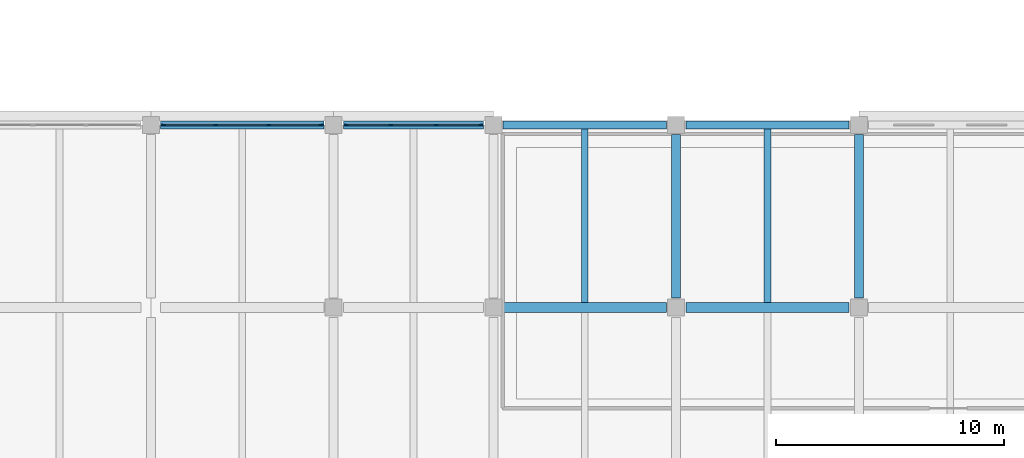
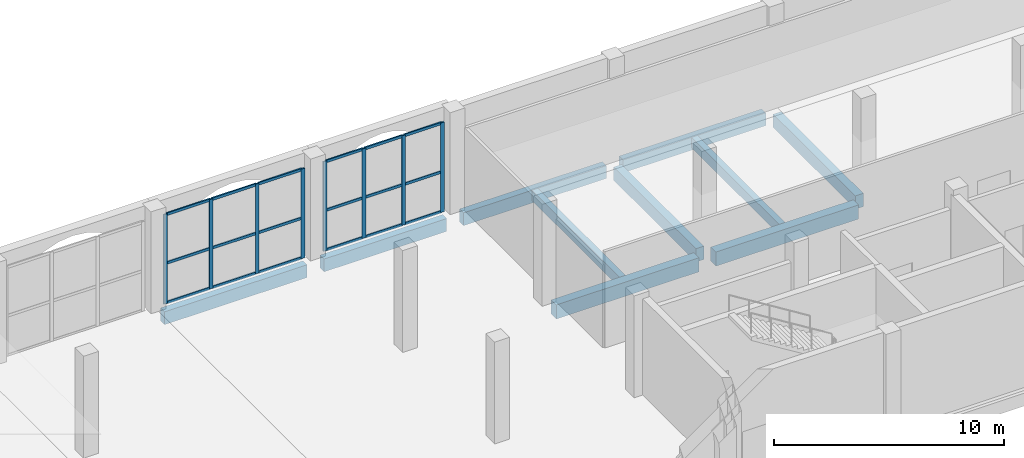
# One storey, part 7 of 40: 26 members, 10 beams, 2 elements without a shape of their own.
"""IFC4 building model written with IfcOpenShell, lengths in metres."""

from ifc_helpers import new_model, si_unit, direction, frame, origin, origin_2d, place, context, subcontext, project, spatial, rectangle, extrude, material, layer, layer_set, material_profile, profile_set, type_object, element, aggregate, save


model = new_model("IFC4")

# Units and contexts
model_context = context("Model", 3, precision=1e-05, world=origin(), true_north=direction((0.0, 1.0)))
body_context = subcontext(model_context, "Body", "Model", "MODEL_VIEW")
ifc_project = project(units=[si_unit("LENGTHUNIT", "METRE"), si_unit("AREAUNIT", "SQUARE_METRE"), si_unit("VOLUMEUNIT", "CUBIC_METRE"), si_unit("PLANEANGLEUNIT", "RADIAN"), si_unit("MASSUNIT", "GRAM", prefix="KILO")], contexts=[model_context])

# Site, building, storey
site_placement = place(None, origin())
site = spatial("IfcSite", under=ifc_project, at=site_placement, CompositionType="ELEMENT")
building_placement = place(site_placement, origin())
building = spatial("IfcBuilding", under=site, at=building_placement, Name="Qorikala Patio Media Centre", CompositionType="ELEMENT")
storey_placement = place(building_placement, origin())
storey = spatial("IfcBuildingStorey", under=building, at=storey_placement, Name="L00", CompositionType="ELEMENT", Elevation=0.0)

# Beams
ifc_material_1 = material(Name="Concrete C35/45", Category="concrete")
ifc_material_profile_1 = material_profile(ifc_material_1, rectangle(XDim=0.39990234375, YDim=0.699951171875, at=origin_2d()), Name="RC 400x700")
ifc_profile_set_1 = profile_set([ifc_material_profile_1], Name="Concrete C35/45")
beam_type_1 = type_object("IfcBeamType", Name="BM-G400X700", PredefinedType="BEAM", material=ifc_profile_set_1)
for number, where, z_axis, x_axis, name in (
    (1, (90.0, 19.425048828125, -0.64990234375), (0.0, 1.0, 0.0), (-1.0, 0.0, 0.0), "L00 Grid X=90 Beam 0267"),
    (2, (98.0, 19.425048828125, -0.64990234375), (0.0, 1.0, 0.0), (-1.0, 0.0, 0.0), "L00 Grid X=98 Beam 0270"),
):
    element("IfcBeam", number, at=place(storey_placement, frame(where, z_axis=z_axis, x_axis=x_axis)), inside=storey, type_object=beam_type_1, Name=name, PredefinedType="BEAM", context=body_context, shape_type="SweptSolid", body=[
        extrude(rectangle(XDim=0.39990234375, YDim=0.699951171875, at=origin_2d()), origin(), (0.0, 0.0, 1.0), 7.14990234375),
    ])
ifc_material_profile_2 = material_profile(ifc_material_1, rectangle(XDim=0.449951171875, YDim=0.75, at=origin_2d()), Name="RC 450x750")
ifc_profile_set_2 = profile_set([ifc_material_profile_2], Name="Concrete C35/45")
beam_type_2 = type_object("IfcBeamType", Name="BM-G450X750", PredefinedType="BEAM", material=ifc_profile_set_2)
for number, where, z_axis, x_axis, name in (
    (3, (82.425048828125, 19.0, -0.675048828125), (1.0, 0.0, 0.0), (0.0, 1.0, 0.0), "L00 Grid 19 Beam 0053"),
    (4, (90.425048828125, 19.0, -0.675048828125), (1.0, 0.0, 0.0), (0.0, 1.0, 0.0), "L00 Grid 19 Beam 0054"),
):
    element("IfcBeam", number, at=place(storey_placement, frame(where, z_axis=z_axis, x_axis=x_axis)), inside=storey, type_object=beam_type_2, Name=name, PredefinedType="BEAM", context=body_context, shape_type="SweptSolid", body=[
        extrude(rectangle(XDim=0.449951171875, YDim=0.75, at=origin_2d()), origin(), (0.0, 0.0, 1.0), 7.14990234375),
    ])

# Curtain wall, members
ifc_material_2 = material(Name="Bronze Anodised Aluminium and Low-E Glass", Category="aluminium")
ifc_layer_1 = layer(ifc_material_2, 0.159912109375)
ifc_layer_set_1 = layer_set([ifc_layer_1], Name="Bronze Anodised Aluminium and Low-E Glass")
curtain_wall_type_1 = type_object("IfcCurtainWallType", Name="CW-PAT-696X475", PredefinedType="USERDEFINED", material=ifc_layer_set_1)
curtain_wall_1_placement = place(storey_placement, origin())
curtain_wall_1 = element("IfcCurtainWall", 5, at=curtain_wall_1_placement, inside=storey, type_object=curtain_wall_type_1, Name="L00 Courtyard Curtain Wall 004", ObjectType="COURTYARD CURTAIN WALL", PredefinedType="USERDEFINED")
ifc_material_3 = material(Name="Bronze Anodised Aluminium", Category="aluminium")
ifc_material_profile_3 = material_profile(ifc_material_3, rectangle(XDim=0.070068359375, YDim=0.179931640625, at=origin_2d()), Name="ALU MULLION 70x180")
ifc_profile_set_3 = profile_set([ifc_material_profile_3], Name="Bronze Anodised Aluminium")
member_type_1 = type_object("IfcMemberType", Name="CWM-70X180", PredefinedType="MULLION", material=ifc_profile_set_3)
member_1_placement = place(storey_placement, frame((67.554931640625, 27.0, 0.0), z_axis=(0.0, 0.0, 1.0), x_axis=(0.0, 1.0, 0.0)))
member_1 = element("IfcMember", 6, at=member_1_placement, type_object=member_type_1, Name="CWP696475 mullion 1", PredefinedType="MULLION", context=body_context, shape_type="SweptSolid", body=[
    extrude(rectangle(XDim=0.070068359375, YDim=0.179931640625, at=origin_2d()), origin(), (0.0, 0.0, 1.0), 4.75),
])
member_2_placement = place(storey_placement, frame((69.840087890625, 27.0, 0.0), z_axis=(0.0, 0.0, 1.0), x_axis=(0.0, 1.0, 0.0)))
member_2 = element("IfcMember", 7, at=member_2_placement, type_object=member_type_1, Name="CWP696475 mullion 2", PredefinedType="MULLION", context=body_context, shape_type="SweptSolid", body=[
    extrude(rectangle(XDim=0.070068359375, YDim=0.179931640625, at=origin_2d()), origin(), (0.0, 0.0, 1.0), 4.75),
])
member_3_placement = place(storey_placement, frame((72.159912109375, 27.0, 0.0), z_axis=(0.0, 0.0, 1.0), x_axis=(0.0, 1.0, 0.0)))
member_3 = element("IfcMember", 8, at=member_3_placement, type_object=member_type_1, Name="CWP696475 mullion 3", PredefinedType="MULLION", context=body_context, shape_type="SweptSolid", body=[
    extrude(rectangle(XDim=0.070068359375, YDim=0.179931640625, at=origin_2d()), origin(), (0.0, 0.0, 1.0), 4.75),
])
member_4_placement = place(storey_placement, frame((74.445068359375, 27.0, 0.0), z_axis=(0.0, 0.0, 1.0), x_axis=(0.0, 1.0, 0.0)))
member_4 = element("IfcMember", 9, at=member_4_placement, type_object=member_type_1, Name="CWP696475 mullion 4", PredefinedType="MULLION", context=body_context, shape_type="SweptSolid", body=[
    extrude(rectangle(XDim=0.070068359375, YDim=0.179931640625, at=origin_2d()), origin(), (0.0, 0.0, 1.0), 4.75),
])

ifc_layer_2 = layer(ifc_material_2, 0.159912109375)
ifc_layer_set_2 = layer_set([ifc_layer_2], Name="Bronze Anodised Aluminium and Low-E Glass")
curtain_wall_type_2 = type_object("IfcCurtainWallType", Name="CW-PAT-596X475", PredefinedType="USERDEFINED", material=ifc_layer_set_2)
curtain_wall_2_placement = place(storey_placement, origin())
curtain_wall_2 = element("IfcCurtainWall", 10, at=curtain_wall_2_placement, inside=storey, type_object=curtain_wall_type_2, Name="L00 Courtyard Curtain Wall 005", ObjectType="COURTYARD CURTAIN WALL", PredefinedType="USERDEFINED")
member_5_placement = place(storey_placement, frame((75.554931640625, 27.0, 0.0), z_axis=(0.0, 0.0, 1.0), x_axis=(0.0, 1.0, 0.0)))
member_5 = element("IfcMember", 11, at=member_5_placement, type_object=member_type_1, Name="CWP596475 mullion 1", PredefinedType="MULLION", context=body_context, shape_type="SweptSolid", body=[
    extrude(rectangle(XDim=0.070068359375, YDim=0.179931640625, at=origin_2d()), origin(), (0.0, 0.0, 1.0), 4.75),
])
member_6_placement = place(storey_placement, frame((77.506591796875, 27.0, 0.0), z_axis=(0.0, 0.0, 1.0), x_axis=(0.0, 1.0, 0.0)))
member_6 = element("IfcMember", 12, at=member_6_placement, type_object=member_type_1, Name="CWP596475 mullion 2", PredefinedType="MULLION", context=body_context, shape_type="SweptSolid", body=[
    extrude(rectangle(XDim=0.070068359375, YDim=0.179931640625, at=origin_2d()), origin(), (0.0, 0.0, 1.0), 4.75),
])
member_7_placement = place(storey_placement, frame((79.493408203125, 27.0, 0.0), z_axis=(0.0, 0.0, 1.0), x_axis=(0.0, 1.0, 0.0)))
member_7 = element("IfcMember", 13, at=member_7_placement, type_object=member_type_1, Name="CWP596475 mullion 3", PredefinedType="MULLION", context=body_context, shape_type="SweptSolid", body=[
    extrude(rectangle(XDim=0.070068359375, YDim=0.179931640625, at=origin_2d()), origin(), (0.0, 0.0, 1.0), 4.75),
])
member_8_placement = place(storey_placement, frame((81.445068359375, 27.0, 0.0), z_axis=(0.0, 0.0, 1.0), x_axis=(0.0, 1.0, 0.0)))
member_8 = element("IfcMember", 14, at=member_8_placement, type_object=member_type_1, Name="CWP596475 mullion 4", PredefinedType="MULLION", context=body_context, shape_type="SweptSolid", body=[
    extrude(rectangle(XDim=0.070068359375, YDim=0.179931640625, at=origin_2d()), origin(), (0.0, 0.0, 1.0), 4.75),
])

# Member
ifc_material_profile_4 = material_profile(ifc_material_3, rectangle(XDim=0.070068359375, YDim=0.139892578125, at=origin_2d()), Name="ALU TRANSOM 70x140")
ifc_profile_set_4 = profile_set([ifc_material_profile_4], Name="Bronze Anodised Aluminium")
member_type_2 = type_object("IfcMemberType", Name="CWT-70X140", PredefinedType="USERDEFINED", material=ifc_profile_set_4)
member_9_placement = place(storey_placement, frame((67.590087890625, 27.0, 0.034912109375), z_axis=(1.0, 0.0, 0.0), x_axis=(0.0, 1.0, 0.0)))
member_9 = element("IfcMember", 15, at=member_9_placement, type_object=member_type_2, Name="CWP696475 transom 1.1", ObjectType="TRANSOM", PredefinedType="USERDEFINED", context=body_context, shape_type="SweptSolid", body=[
    extrude(rectangle(XDim=0.070068359375, YDim=0.139892578125, at=origin_2d()), origin(), (0.0, 0.0, 1.0), 2.21484375),
])

member_10_placement = place(storey_placement, frame((67.590087890625, 27.0, 2.137451171875), z_axis=(1.0, 0.0, 0.0), x_axis=(0.0, 1.0, 0.0)))
member_10 = element("IfcMember", 16, at=member_10_placement, type_object=member_type_2, Name="CWP696475 transom 1.2", ObjectType="TRANSOM", PredefinedType="USERDEFINED", context=body_context, shape_type="SweptSolid", body=[
    extrude(rectangle(XDim=0.070068359375, YDim=0.139892578125, at=origin_2d()), origin(), (0.0, 0.0, 1.0), 2.21484375),
])

member_11_placement = place(storey_placement, frame((67.590087890625, 27.0, 4.715087890625), z_axis=(1.0, 0.0, 0.0), x_axis=(0.0, 1.0, 0.0)))
member_11 = element("IfcMember", 17, at=member_11_placement, type_object=member_type_2, Name="CWP696475 transom 1.3", ObjectType="TRANSOM", PredefinedType="USERDEFINED", context=body_context, shape_type="SweptSolid", body=[
    extrude(rectangle(XDim=0.070068359375, YDim=0.139892578125, at=origin_2d()), origin(), (0.0, 0.0, 1.0), 2.21484375),
])

member_12_placement = place(storey_placement, frame((69.875, 27.0, 0.034912109375), z_axis=(1.0, 0.0, 0.0), x_axis=(0.0, 1.0, 0.0)))
member_12 = element("IfcMember", 18, at=member_12_placement, type_object=member_type_2, Name="CWP696475 transom 2.1", ObjectType="TRANSOM", PredefinedType="USERDEFINED", context=body_context, shape_type="SweptSolid", body=[
    extrude(rectangle(XDim=0.070068359375, YDim=0.139892578125, at=origin_2d()), origin(), (0.0, 0.0, 1.0), 2.25),
])

member_13_placement = place(storey_placement, frame((69.875, 27.0, 2.137451171875), z_axis=(1.0, 0.0, 0.0), x_axis=(0.0, 1.0, 0.0)))
member_13 = element("IfcMember", 19, at=member_13_placement, type_object=member_type_2, Name="CWP696475 transom 2.2", ObjectType="TRANSOM", PredefinedType="USERDEFINED", context=body_context, shape_type="SweptSolid", body=[
    extrude(rectangle(XDim=0.070068359375, YDim=0.139892578125, at=origin_2d()), origin(), (0.0, 0.0, 1.0), 2.25),
])

member_14_placement = place(storey_placement, frame((69.875, 27.0, 4.715087890625), z_axis=(1.0, 0.0, 0.0), x_axis=(0.0, 1.0, 0.0)))
member_14 = element("IfcMember", 20, at=member_14_placement, type_object=member_type_2, Name="CWP696475 transom 2.3", ObjectType="TRANSOM", PredefinedType="USERDEFINED", context=body_context, shape_type="SweptSolid", body=[
    extrude(rectangle(XDim=0.070068359375, YDim=0.139892578125, at=origin_2d()), origin(), (0.0, 0.0, 1.0), 2.25),
])

member_15_placement = place(storey_placement, frame((72.195068359375, 27.0, 0.034912109375), z_axis=(1.0, 0.0, 0.0), x_axis=(0.0, 1.0, 0.0)))
member_15 = element("IfcMember", 21, at=member_15_placement, type_object=member_type_2, Name="CWP696475 transom 3.1", ObjectType="TRANSOM", PredefinedType="USERDEFINED", context=body_context, shape_type="SweptSolid", body=[
    extrude(rectangle(XDim=0.070068359375, YDim=0.139892578125, at=origin_2d()), origin(), (0.0, 0.0, 1.0), 2.21484375),
])

member_16_placement = place(storey_placement, frame((72.195068359375, 27.0, 2.137451171875), z_axis=(1.0, 0.0, 0.0), x_axis=(0.0, 1.0, 0.0)))
member_16 = element("IfcMember", 22, at=member_16_placement, type_object=member_type_2, Name="CWP696475 transom 3.2", ObjectType="TRANSOM", PredefinedType="USERDEFINED", context=body_context, shape_type="SweptSolid", body=[
    extrude(rectangle(XDim=0.070068359375, YDim=0.139892578125, at=origin_2d()), origin(), (0.0, 0.0, 1.0), 2.21484375),
])

member_17_placement = place(storey_placement, frame((72.195068359375, 27.0, 4.715087890625), z_axis=(1.0, 0.0, 0.0), x_axis=(0.0, 1.0, 0.0)))
member_17 = element("IfcMember", 23, at=member_17_placement, type_object=member_type_2, Name="CWP696475 transom 3.3", ObjectType="TRANSOM", PredefinedType="USERDEFINED", context=body_context, shape_type="SweptSolid", body=[
    extrude(rectangle(XDim=0.070068359375, YDim=0.139892578125, at=origin_2d()), origin(), (0.0, 0.0, 1.0), 2.21484375),
])

aggregate(curtain_wall_1, [member_1, member_2, member_3, member_4, member_9, member_10, member_11, member_12, member_13, member_14, member_15, member_16, member_17])

member_18_placement = place(storey_placement, frame((75.590087890625, 27.0, 0.034912109375), z_axis=(1.0, 0.0, 0.0), x_axis=(0.0, 1.0, 0.0)))
member_18 = element("IfcMember", 24, at=member_18_placement, type_object=member_type_2, Name="CWP596475 transom 1.1", ObjectType="TRANSOM", PredefinedType="USERDEFINED", context=body_context, shape_type="SweptSolid", body=[
    extrude(rectangle(XDim=0.070068359375, YDim=0.139892578125, at=origin_2d()), origin(), (0.0, 0.0, 1.0), 1.881591796875),
])

member_19_placement = place(storey_placement, frame((75.590087890625, 27.0, 2.137451171875), z_axis=(1.0, 0.0, 0.0), x_axis=(0.0, 1.0, 0.0)))
member_19 = element("IfcMember", 25, at=member_19_placement, type_object=member_type_2, Name="CWP596475 transom 1.2", ObjectType="TRANSOM", PredefinedType="USERDEFINED", context=body_context, shape_type="SweptSolid", body=[
    extrude(rectangle(XDim=0.070068359375, YDim=0.139892578125, at=origin_2d()), origin(), (0.0, 0.0, 1.0), 1.881591796875),
])

member_20_placement = place(storey_placement, frame((75.590087890625, 27.0, 4.715087890625), z_axis=(1.0, 0.0, 0.0), x_axis=(0.0, 1.0, 0.0)))
member_20 = element("IfcMember", 26, at=member_20_placement, type_object=member_type_2, Name="CWP596475 transom 1.3", ObjectType="TRANSOM", PredefinedType="USERDEFINED", context=body_context, shape_type="SweptSolid", body=[
    extrude(rectangle(XDim=0.070068359375, YDim=0.139892578125, at=origin_2d()), origin(), (0.0, 0.0, 1.0), 1.881591796875),
])

member_21_placement = place(storey_placement, frame((77.541748046875, 27.0, 0.034912109375), z_axis=(1.0, 0.0, 0.0), x_axis=(0.0, 1.0, 0.0)))
member_21 = element("IfcMember", 27, at=member_21_placement, type_object=member_type_2, Name="CWP596475 transom 2.1", ObjectType="TRANSOM", PredefinedType="USERDEFINED", context=body_context, shape_type="SweptSolid", body=[
    extrude(rectangle(XDim=0.070068359375, YDim=0.139892578125, at=origin_2d()), origin(), (0.0, 0.0, 1.0), 1.91650390625),
])

member_22_placement = place(storey_placement, frame((77.541748046875, 27.0, 2.137451171875), z_axis=(1.0, 0.0, 0.0), x_axis=(0.0, 1.0, 0.0)))
member_22 = element("IfcMember", 28, at=member_22_placement, type_object=member_type_2, Name="CWP596475 transom 2.2", ObjectType="TRANSOM", PredefinedType="USERDEFINED", context=body_context, shape_type="SweptSolid", body=[
    extrude(rectangle(XDim=0.070068359375, YDim=0.139892578125, at=origin_2d()), origin(), (0.0, 0.0, 1.0), 1.91650390625),
])

member_23_placement = place(storey_placement, frame((77.541748046875, 27.0, 4.715087890625), z_axis=(1.0, 0.0, 0.0), x_axis=(0.0, 1.0, 0.0)))
member_23 = element("IfcMember", 29, at=member_23_placement, type_object=member_type_2, Name="CWP596475 transom 2.3", ObjectType="TRANSOM", PredefinedType="USERDEFINED", context=body_context, shape_type="SweptSolid", body=[
    extrude(rectangle(XDim=0.070068359375, YDim=0.139892578125, at=origin_2d()), origin(), (0.0, 0.0, 1.0), 1.91650390625),
])

member_24_placement = place(storey_placement, frame((79.5283203125, 27.0, 0.034912109375), z_axis=(1.0, 0.0, 0.0), x_axis=(0.0, 1.0, 0.0)))
member_24 = element("IfcMember", 30, at=member_24_placement, type_object=member_type_2, Name="CWP596475 transom 3.1", ObjectType="TRANSOM", PredefinedType="USERDEFINED", context=body_context, shape_type="SweptSolid", body=[
    extrude(rectangle(XDim=0.070068359375, YDim=0.139892578125, at=origin_2d()), origin(), (0.0, 0.0, 1.0), 1.881591796875),
])

member_25_placement = place(storey_placement, frame((79.5283203125, 27.0, 2.137451171875), z_axis=(1.0, 0.0, 0.0), x_axis=(0.0, 1.0, 0.0)))
member_25 = element("IfcMember", 31, at=member_25_placement, type_object=member_type_2, Name="CWP596475 transom 3.2", ObjectType="TRANSOM", PredefinedType="USERDEFINED", context=body_context, shape_type="SweptSolid", body=[
    extrude(rectangle(XDim=0.070068359375, YDim=0.139892578125, at=origin_2d()), origin(), (0.0, 0.0, 1.0), 1.881591796875),
])

member_26_placement = place(storey_placement, frame((79.5283203125, 27.0, 4.715087890625), z_axis=(1.0, 0.0, 0.0), x_axis=(0.0, 1.0, 0.0)))
member_26 = element("IfcMember", 32, at=member_26_placement, type_object=member_type_2, Name="CWP596475 transom 3.3", ObjectType="TRANSOM", PredefinedType="USERDEFINED", context=body_context, shape_type="SweptSolid", body=[
    extrude(rectangle(XDim=0.070068359375, YDim=0.139892578125, at=origin_2d()), origin(), (0.0, 0.0, 1.0), 1.881591796875),
])

aggregate(curtain_wall_2, [member_5, member_6, member_7, member_8, member_18, member_19, member_20, member_21, member_22, member_23, member_24, member_25, member_26])

# Beams
ifc_material_profile_5 = material_profile(ifc_material_1, rectangle(XDim=0.300048828125, YDim=0.550048828125, at=origin_2d()), Name="RC 300x550")
ifc_profile_set_5 = profile_set([ifc_material_profile_5], Name="Concrete C35/45")
beam_type_3 = type_object("IfcBeamType", Name="JS-300X550", PredefinedType="JOIST", material=ifc_profile_set_5)
for number, where, z_axis, x_axis, name in (
    (33, (86.0, 19.22509765625, -0.574951171875), (0.0, 1.0, 0.0), (-1.0, 0.0, 0.0), "L00 Secondary Joist 0374"),
    (34, (94.0, 19.22509765625, -0.574951171875), (0.0, 1.0, 0.0), (-1.0, 0.0, 0.0), "L00 Secondary Joist 0376"),
):
    element("IfcBeam", number, at=place(storey_placement, frame(where, z_axis=z_axis, x_axis=x_axis)), inside=storey, type_object=beam_type_3, Name=name, PredefinedType="JOIST", context=body_context, shape_type="SweptSolid", body=[
        extrude(rectangle(XDim=0.300048828125, YDim=0.550048828125, at=origin_2d()), origin(), (0.0, 0.0, 1.0), 7.599853515625),
    ])
ifc_material_profile_6 = material_profile(ifc_material_1, rectangle(XDim=0.35009765625, YDim=0.679931640625, at=origin_2d()), Name="RC 350x680")
ifc_profile_set_6 = profile_set([ifc_material_profile_6], Name="Concrete C35/45")
beam_type_4 = type_object("IfcBeamType", Name="SP-350X680", PredefinedType="SPANDREL", material=ifc_profile_set_6)
beam_1_placement = place(storey_placement, frame((67.425048828125, 27.0, -0.639892578125), z_axis=(1.0, 0.0, 0.0), x_axis=(0.0, 1.0, 0.0)))
element("IfcBeam", 35, at=beam_1_placement, inside=storey, type_object=beam_type_4, Name="L00 Grid 27 Beam 0072", PredefinedType="SPANDREL", context=body_context, shape_type="SweptSolid", body=[
    extrude(rectangle(XDim=0.35009765625, YDim=0.679931640625, at=origin_2d()), origin(), (0.0, 0.0, 1.0), 7.14990234375),
])
beam_2_placement = place(storey_placement, frame((75.425048828125, 27.0, -0.639892578125), z_axis=(1.0, 0.0, 0.0), x_axis=(0.0, 1.0, 0.0)))
element("IfcBeam", 36, at=beam_2_placement, inside=storey, type_object=beam_type_4, Name="L00 Grid 27 Beam 0073", PredefinedType="SPANDREL", context=body_context, shape_type="SweptSolid", body=[
    extrude(rectangle(XDim=0.35009765625, YDim=0.679931640625, at=origin_2d()), origin(), (0.0, 0.0, 1.0), 6.14990234375),
])
for number, where, z_axis, x_axis, name in (
    (37, (82.425048828125, 27.0, -0.639892578125), (1.0, 0.0, 0.0), (0.0, 1.0, 0.0), "L00 Grid 27 Beam 0074"),
    (38, (90.425048828125, 27.0, -0.639892578125), (1.0, 0.0, 0.0), (0.0, 1.0, 0.0), "L00 Grid 27 Beam 0075"),
):
    element("IfcBeam", number, at=place(storey_placement, frame(where, z_axis=z_axis, x_axis=x_axis)), inside=storey, type_object=beam_type_4, Name=name, PredefinedType="SPANDREL", context=body_context, shape_type="SweptSolid", body=[
        extrude(rectangle(XDim=0.35009765625, YDim=0.679931640625, at=origin_2d()), origin(), (0.0, 0.0, 1.0), 7.14990234375),
    ])

save(model, "model.ifc")
